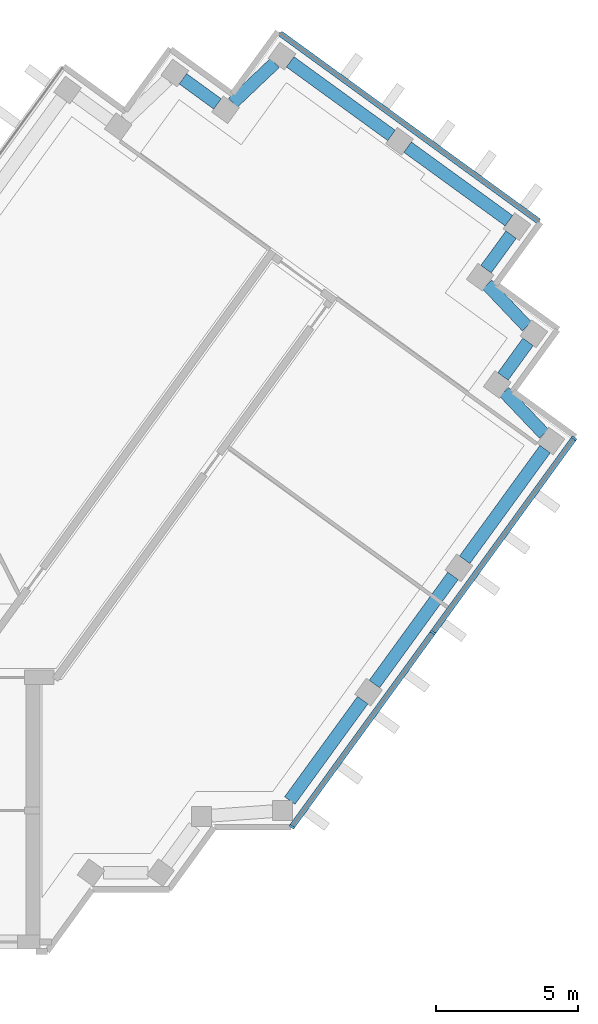
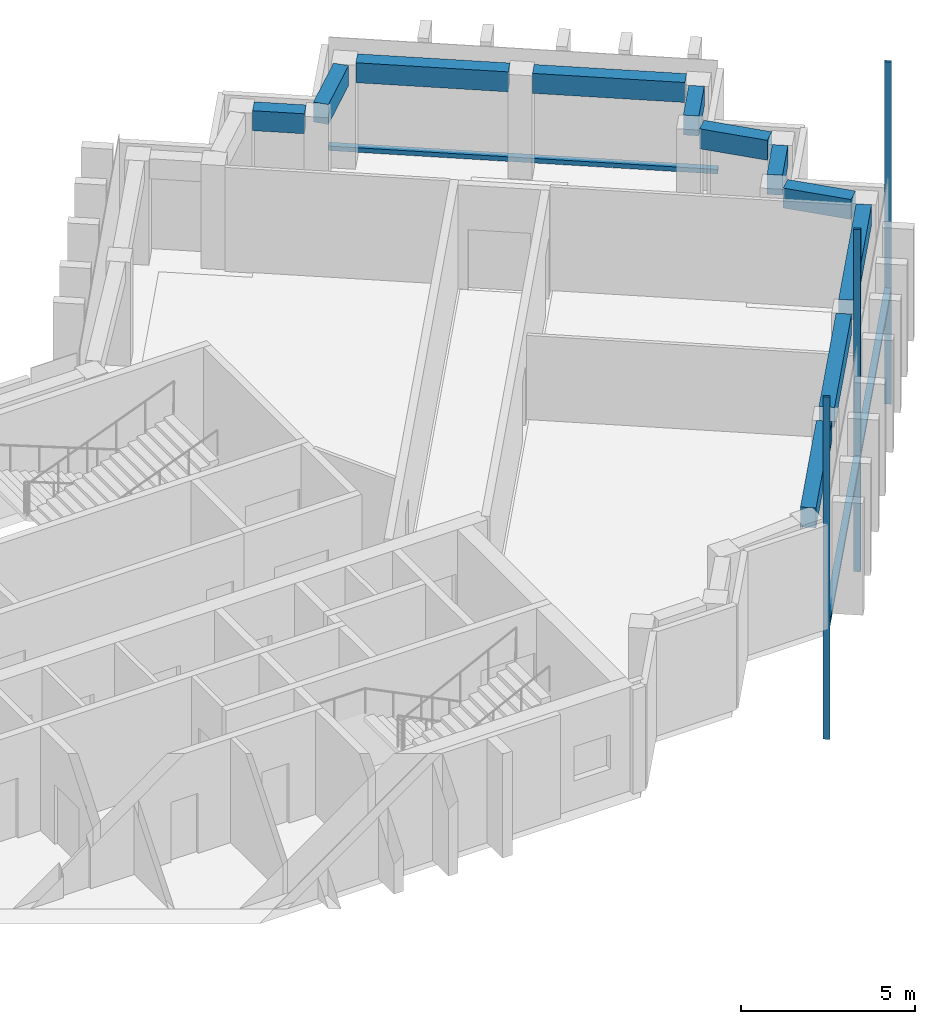
"""IFC4 building model written with IfcOpenShell, lengths in metres."""

from ifc_helpers import new_model, si_unit, direction, frame, origin, origin_2d, place, context, subcontext, project, spatial, rectangle, extrude, material, material_profile, profile_set, type_object, element, aggregate, save


model = new_model("IFC4")

# Units and contexts
model_context = context("Model", 3, precision=1e-05, world=origin(), true_north=direction((0.0, 1.0)))
body_context = subcontext(model_context, "Body", "Model", "MODEL_VIEW")
ifc_project = project(units=[si_unit("LENGTHUNIT", "METRE"), si_unit("AREAUNIT", "SQUARE_METRE"), si_unit("VOLUMEUNIT", "CUBIC_METRE"), si_unit("PLANEANGLEUNIT", "RADIAN"), si_unit("MASSUNIT", "GRAM", prefix="KILO")], contexts=[model_context])

# Site, building, storey
site_placement = place(None, origin())
site = spatial("IfcSite", under=ifc_project, at=site_placement, CompositionType="ELEMENT")
building_placement = place(site_placement, origin())
building = spatial("IfcBuilding", under=site, at=building_placement, Name="Quipu Civic Tower", CompositionType="ELEMENT")
storey_1_placement = place(building_placement, frame((0.0, 0.0, 327.0)))
storey_1 = spatial("IfcBuildingStorey", under=building, at=storey_1_placement, Name="L76", CompositionType="ELEMENT", Elevation=327.0)

# Curtain wall, members
ifc_material_1 = material(Name="Insulated glass unit", Category="glass")
curtain_wall_type = type_object("IfcCurtainWallType", Name="Office curtain wall CW1", PredefinedType="NOTDEFINED", material=ifc_material_1)
curtain_wall_1_placement = place(storey_1_placement, origin())
curtain_wall_1 = element("IfcCurtainWall", 1, at=curtain_wall_1_placement, inside=storey_1, type_object=curtain_wall_type, Name="Office curtain wall CW1 L75 run 4", PredefinedType="NOTDEFINED")
ifc_material_2 = material(Name="Anodised aluminium", Category="aluminium")
ifc_material_profile_1 = material_profile(ifc_material_2, rectangle(XDim=0.199951171875, YDim=0.080078125, at=origin_2d()), Name="RECT 200x80")
ifc_profile_set_1 = profile_set([ifc_material_profile_1], Name="Anodised aluminium")
member_type_1 = type_object("IfcMemberType", Name="Mullion CW1", PredefinedType="MULLION", material=ifc_profile_set_1)
member_1_placement = place(storey_1_placement, frame((28.853271484375, -6.698974609375, -3.919921875), z_axis=(0.0, 0.0, 1.0), x_axis=(-0.809016278475, 0.587786237643, 0.0)))
member_1 = element("IfcMember", 2, at=member_1_placement, type_object=member_type_1, Name="CW1 mullion 1", PredefinedType="MULLION", context=body_context, shape_type="SweptSolid", body=[
    extrude(rectangle(XDim=0.199951171875, YDim=0.080078125, at=origin_2d()), origin(), (0.0, 0.0, 1.0), 12.0),
])
member_2_placement = place(storey_1_placement, frame((33.81298828125, 0.12744140625, -3.919921875), z_axis=(0.0, 0.0, 1.0), x_axis=(-0.809016278475, 0.587786237643, 0.0)))
member_2 = element("IfcMember", 3, at=member_2_placement, type_object=member_type_1, Name="CW1 mullion 2", PredefinedType="MULLION", context=body_context, shape_type="SweptSolid", body=[
    extrude(rectangle(XDim=0.199951171875, YDim=0.080078125, at=origin_2d()), origin(), (0.0, 0.0, 1.0), 12.0),
])
member_3_placement = place(storey_1_placement, frame((38.772705078125, 6.953857421875, -3.919921875), z_axis=(0.0, 0.0, 1.0), x_axis=(-0.809016278475, 0.587786237643, 0.0)))
member_3 = element("IfcMember", 4, at=member_3_placement, type_object=member_type_1, Name="CW1 mullion 3", PredefinedType="MULLION", context=body_context, shape_type="SweptSolid", body=[
    extrude(rectangle(XDim=0.199951171875, YDim=0.080078125, at=origin_2d()), origin(), (0.0, 0.0, 1.0), 12.0),
])

# Beams
ifc_material_3 = material(Name="Concrete C50/60", Category="concrete")
ifc_material_profile_2 = material_profile(ifc_material_3, rectangle(XDim=0.449951171875, YDim=0.699951171875, at=origin_2d()), Name="RC450x700")
ifc_profile_set_2 = profile_set([ifc_material_profile_2], Name="Concrete C50/60")
beam_type = type_object("IfcBeamType", Name="Spandrel beam RC 450x700 C50/60", PredefinedType="SPANDREL", material=ifc_profile_set_2)
beam_1_placement = place(storey_1_placement, frame((28.779296875, -5.780029296875, 3.300048828125), z_axis=(0.58777550284, 0.809024077677, 0.0), x_axis=(-0.809024077677, 0.58777550284, 0.0)))
element("IfcBeam", 5, at=beam_1_placement, inside=storey_1, type_object=beam_type, Name="Spandrel beam L76 J-Eo.4 to E-OUT-01", PredefinedType="SPANDREL", context=body_context, shape_type="SweptSolid", body=[
    extrude(rectangle(XDim=0.449951171875, YDim=0.699951171875, at=origin_2d()), origin(), (0.0, 0.0, 1.0), 4.36083984375),
])
beam_2_placement = place(storey_1_placement, frame((31.75390625, -1.685546875, 3.300048828125), z_axis=(0.587788656305, 0.809014521204, 0.0), x_axis=(-0.809014521204, 0.587788656305, 0.0)))
element("IfcBeam", 6, at=beam_2_placement, inside=storey_1, type_object=beam_type, Name="Spandrel beam L76 E-OUT-01 to E-OUT-02", PredefinedType="SPANDREL", context=body_context, shape_type="SweptSolid", body=[
    extrude(rectangle(XDim=0.449951171875, YDim=0.699951171875, at=origin_2d()), origin(), (0.0, 0.0, 1.0), 4.7001953125),
])
beam_3_placement = place(storey_1_placement, frame((34.927978515625, 2.68310546875, 3.300048828125), z_axis=(0.587905928359, 0.808929304328, 0.0), x_axis=(-0.808929304328, 0.587905928359, 0.0)))
element("IfcBeam", 7, at=beam_3_placement, inside=storey_1, type_object=beam_type, Name="Spandrel beam L76 E-OUT-02 to T-Eo.0-E22", PredefinedType="SPANDREL", context=body_context, shape_type="SweptSolid", body=[
    extrude(rectangle(XDim=0.449951171875, YDim=0.699951171875, at=origin_2d()), origin(), (0.0, 0.0, 1.0), 4.80712890625),
])
beam_4_placement = place(storey_1_placement, frame((37.71484375, 7.11279296875, 3.300048828125), z_axis=(-0.689175330605, 0.724594620244, 0.0), x_axis=(-0.724594620244, -0.689175330605, 0.0)))
element("IfcBeam", 8, at=beam_4_placement, inside=storey_1, type_object=beam_type, Name="Spandrel beam L76 T-Eo.0-E22 to T-Eo.1-E22", PredefinedType="SPANDREL", context=body_context, shape_type="SweptSolid", body=[
    extrude(rectangle(XDim=0.449951171875, YDim=0.699951171875, at=origin_2d()), origin(), (0.0, 0.0, 1.0), 2.033447265625),
])
beam_5_placement = place(storey_1_placement, frame((36.273681640625, 9.12744140625, 3.300048828125), z_axis=(0.587164895097, 0.809467347066, 0.0), x_axis=(-0.809467347066, 0.587164895097, 0.0)))
element("IfcBeam", 9, at=beam_5_placement, inside=storey_1, type_object=beam_type, Name="Spandrel beam L76 T-Eo.1-E22 to T-Eo.2-E22", PredefinedType="SPANDREL", context=body_context, shape_type="SweptSolid", body=[
    extrude(rectangle(XDim=0.449951171875, YDim=0.699951171875, at=origin_2d()), origin(), (0.0, 0.0, 1.0), 1.500244140625),
])
beam_6_placement = place(storey_1_placement, frame((37.114990234375, 10.88330078125, 3.300048828125), z_axis=(-0.688247466856, 0.725475998477, 0.0), x_axis=(-0.725475998477, -0.688247466856, 0.0)))
element("IfcBeam", 10, at=beam_6_placement, inside=storey_1, type_object=beam_type, Name="Spandrel beam L76 T-Eo.2-E22 to T-Eo.3-E22", PredefinedType="SPANDREL", context=body_context, shape_type="SweptSolid", body=[
    extrude(rectangle(XDim=0.449951171875, YDim=0.699951171875, at=origin_2d()), origin(), (0.0, 0.0, 1.0), 2.032958984375),
])
beam_7_placement = place(storey_1_placement, frame((35.6767578125, 12.8994140625, 3.300048828125), z_axis=(0.588345920092, 0.808609348394, 0.0), x_axis=(-0.808609348394, 0.588345920092, 0.0)))
element("IfcBeam", 11, at=beam_7_placement, inside=storey_1, type_object=beam_type, Name="Spandrel beam L76 T-Eo.3-E22 to T-Eo.4-E22", PredefinedType="SPANDREL", context=body_context, shape_type="SweptSolid", body=[
    extrude(rectangle(XDim=0.449951171875, YDim=0.699951171875, at=origin_2d()), origin(), (0.0, 0.0, 1.0), 1.499755859375),
])
beam_8_placement = place(storey_1_placement, frame((36.481689453125, 14.6005859375, 3.300048828125), z_axis=(-0.809117270763, 0.587647208921, 0.0), x_axis=(-0.587647208921, -0.809117270763, 0.0)))
element("IfcBeam", 12, at=beam_8_placement, inside=storey_1, type_object=beam_type, Name="Spandrel beam L76 T-Eo.4-E22 to TIP-E-01-E22", PredefinedType="SPANDREL", context=body_context, shape_type="SweptSolid", body=[
    extrude(rectangle(XDim=0.449951171875, YDim=0.699951171875, at=origin_2d()), origin(), (0.0, 0.0, 1.0), 4.40185546875),
])
beam_9_placement = place(storey_1_placement, frame((32.353759765625, 17.5986328125, 3.300048828125), z_axis=(-0.809146152767, 0.587607439931, 0.0), x_axis=(-0.587607439931, -0.809146152767, 0.0)))
element("IfcBeam", 13, at=beam_9_placement, inside=storey_1, type_object=beam_type, Name="Spandrel beam L76 TIP-E-01-E22 to T-Ei.0-E22", PredefinedType="SPANDREL", context=body_context, shape_type="SweptSolid", body=[
    extrude(rectangle(XDim=0.449951171875, YDim=0.699951171875, at=origin_2d()), origin(), (0.0, 0.0, 1.0), 4.400390625),
])
beam_10_placement = place(storey_1_placement, frame((28.251708984375, 20.14501953125, 3.300048828125), z_axis=(-0.725359138958, -0.688370626574, 0.0), x_axis=(0.688370626574, -0.725359138958, 0.0)))
element("IfcBeam", 14, at=beam_10_placement, inside=storey_1, type_object=beam_type, Name="Spandrel beam L76 T-Ei.0-E22 to T-Ei.1-E22", PredefinedType="SPANDREL", context=body_context, shape_type="SweptSolid", body=[
    extrude(rectangle(XDim=0.449951171875, YDim=0.699951171875, at=origin_2d()), origin(), (0.0, 0.0, 1.0), 2.032958984375),
])
beam_11_placement = place(storey_1_placement, frame((26.236083984375, 18.70654296875, 3.300048828125), z_axis=(-0.808644589435, 0.588297482553, 0.0), x_axis=(-0.588297482553, -0.808644589435, 0.0)))
element("IfcBeam", 15, at=beam_11_placement, inside=storey_1, type_object=beam_type, Name="Spandrel beam L76 T-Ei.1-E22 to T-Ei.2-E22", PredefinedType="SPANDREL", context=body_context, shape_type="SweptSolid", body=[
    extrude(rectangle(XDim=0.449951171875, YDim=0.699951171875, at=origin_2d()), origin(), (0.0, 0.0, 1.0), 1.500244140625),
])

# Storey
storey_2_placement = place(building_placement, frame((0.0, 0.0, 323.0)))
storey_2 = spatial("IfcBuildingStorey", under=building, at=storey_2_placement, Name="L75", CompositionType="ELEMENT", Elevation=323.0)

# Curtain wall, member
curtain_wall_2_placement = place(storey_2_placement, origin())
curtain_wall_2 = element("IfcCurtainWall", 16, at=curtain_wall_2_placement, inside=storey_2, type_object=curtain_wall_type, Name="Office curtain wall CW1 L74 run 28", PredefinedType="NOTDEFINED")
ifc_material_4 = material(Name="Anodised aluminium", Category="aluminium")
ifc_material_profile_3 = material_profile(ifc_material_4, rectangle(XDim=0.199951171875, YDim=0.159912109375, at=origin_2d()), Name="RECT 200x160")
ifc_profile_set_3 = profile_set([ifc_material_profile_3], Name="Anodised aluminium")
member_type_2 = type_object("IfcMemberType", Name="Transom CW1", PredefinedType="USERDEFINED", material=ifc_profile_set_3)
member_4_placement = place(storey_1_placement, frame((37.536865234375, 14.575927734375, 0.080078125), z_axis=(-0.809022463805, 0.587777724194, 0.0), x_axis=(-0.587777724194, -0.809022463805, 0.0)))
member_4 = element("IfcMember", 17, at=member_4_placement, inside=storey_1, type_object=member_type_2, Name="CW1 transom 1.3", ObjectType="TRANSOM", PredefinedType="USERDEFINED", context=body_context, shape_type="SweptSolid", body=[
    extrude(rectangle(XDim=0.199951171875, YDim=0.159912109375, at=origin_2d()), origin(), (0.0, 0.0, 1.0), 11.240234375),
])
aggregate(curtain_wall_2, [member_4])

# Member
member_5_placement = place(storey_1_placement, frame((28.876708984375, -6.66650390625, 0.080078125), z_axis=(0.587812107925, 0.808997481935, 0.0), x_axis=(-0.808997481935, 0.587812107925, 0.0)))
member_5 = element("IfcMember", 18, at=member_5_placement, type_object=member_type_2, Name="CW1 transom 1.2", ObjectType="TRANSOM", PredefinedType="USERDEFINED", context=body_context, shape_type="SweptSolid", body=[
    extrude(rectangle(XDim=0.199951171875, YDim=0.159912109375, at=origin_2d()), origin(), (0.0, 0.0, 1.0), 8.35791015625),
])

member_6_placement = place(storey_1_placement, frame((33.83642578125, 0.15966796875, 0.080078125), z_axis=(0.587779098815, 0.809021465102, 0.0), x_axis=(-0.809021465102, 0.587779098815, 0.0)))
member_6 = element("IfcMember", 19, at=member_6_placement, type_object=member_type_2, Name="CW1 transom 2.2", ObjectType="TRANSOM", PredefinedType="USERDEFINED", context=body_context, shape_type="SweptSolid", body=[
    extrude(rectangle(XDim=0.199951171875, YDim=0.159912109375, at=origin_2d()), origin(), (0.0, 0.0, 1.0), 8.35791015625),
])

aggregate(curtain_wall_1, [member_1, member_2, member_3, member_5, member_6])

save(model, "model.ifc")
